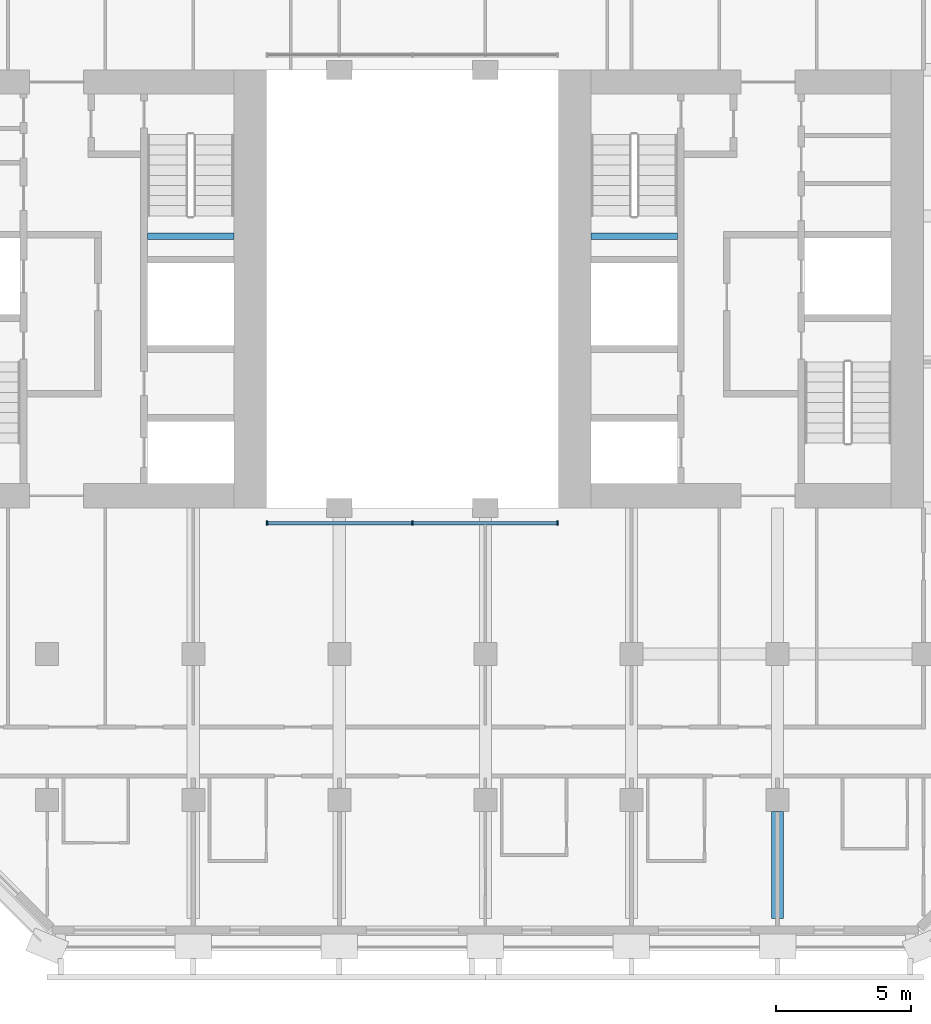
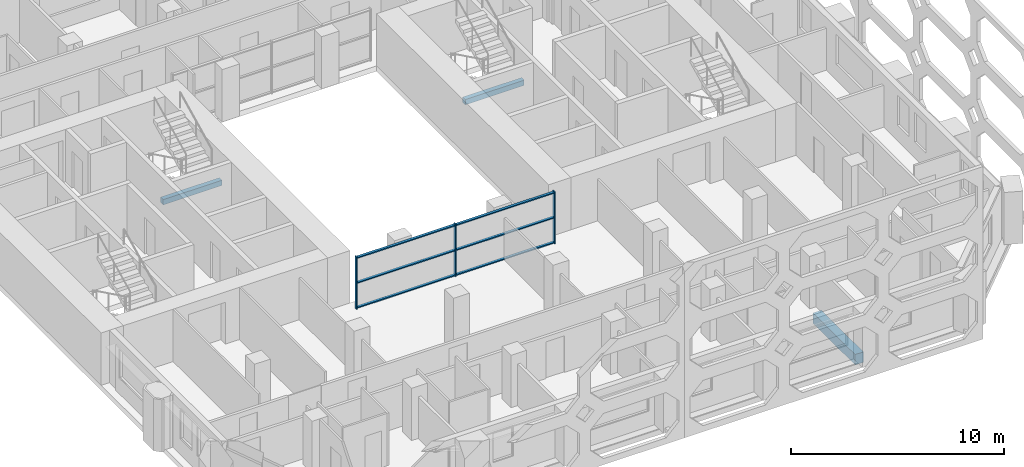
# One storey, part 2 of 14: 9 members, 3 beams, 1 element without a shape of its own.
"""IFC4 building model written with IfcOpenShell, lengths in metres."""

from ifc_helpers import new_model, si_unit, direction, frame, origin, origin_2d, place, context, subcontext, project, spatial, rectangle, extrude, material, material_profile, profile_set, type_object, element, aggregate, save


model = new_model("IFC4")

# Units and contexts
model_context = context("Model", 3, precision=1e-05, world=origin(), true_north=direction((0.0, 1.0)))
body_context = subcontext(model_context, "Body", "Model", "MODEL_VIEW")
ifc_project = project(units=[si_unit("LENGTHUNIT", "METRE"), si_unit("AREAUNIT", "SQUARE_METRE"), si_unit("VOLUMEUNIT", "CUBIC_METRE"), si_unit("PLANEANGLEUNIT", "RADIAN"), si_unit("MASSUNIT", "GRAM", prefix="KILO")], contexts=[model_context])

# Site, building, storey
site_placement = place(None, origin())
site = spatial("IfcSite", under=ifc_project, at=site_placement, CompositionType="ELEMENT")
building_placement = place(site_placement, origin())
building = spatial("IfcBuilding", under=site, at=building_placement, Name="Tabaq Tower and Sports Hall", CompositionType="ELEMENT")
storey_placement = place(building_placement, frame((0.0, 0.0, 166.0)))
storey = spatial("IfcBuildingStorey", under=building, at=storey_placement, Name="L39", CompositionType="ELEMENT", Elevation=166.0)

# Curtain wall, members
ifc_material_1 = material(Name="Aluminium alloy 6063-T6 framed glazing", Category="aluminium")
curtain_wall_type = type_object("IfcCurtainWallType", Name="CW1 curtain wall", PredefinedType="USERDEFINED", material=ifc_material_1)
curtain_wall_placement = place(storey_placement, origin())
curtain_wall = element("IfcCurtainWall", 1, at=curtain_wall_placement, inside=storey, type_object=curtain_wall_type, Name="Atrium glazing L39 S", ObjectType="ATRIUM ENCLOSURE", PredefinedType="USERDEFINED")
ifc_material_2 = material(Name="Aluminium alloy 6063-T6", Category="aluminium")
ifc_material_profile_1 = material_profile(ifc_material_2, rectangle(XDim=0.159912109375, YDim=0.06005859375, at=origin_2d()), Name="MULLION 160x60")
ifc_profile_set_1 = profile_set([ifc_material_profile_1], Name="Aluminium alloy 6063-T6")
member_type_1 = type_object("IfcMemberType", Name="CW1 mullion 160x60", PredefinedType="MULLION", material=ifc_profile_set_1)
member_1_placement = place(storey_placement, frame((18.929931640625, 15.64990234375, 0.0), z_axis=(0.0, 0.0, 1.0), x_axis=(0.0, 1.0, 0.0)))
member_1 = element("IfcMember", 2, at=member_1_placement, type_object=member_type_1, Name="CW1 mullion 1", PredefinedType="MULLION", context=body_context, shape_type="SweptSolid", body=[
    extrude(rectangle(XDim=0.159912109375, YDim=0.06005859375, at=origin_2d()), origin(), (0.0, 0.0, 1.0), 3.0),
])
member_2_placement = place(storey_placement, frame((24.300048828125, 15.64990234375, 0.0), z_axis=(0.0, 0.0, 1.0), x_axis=(0.0, 1.0, 0.0)))
member_2 = element("IfcMember", 3, at=member_2_placement, type_object=member_type_1, Name="CW1 mullion 2", PredefinedType="MULLION", context=body_context, shape_type="SweptSolid", body=[
    extrude(rectangle(XDim=0.159912109375, YDim=0.06005859375, at=origin_2d()), origin(), (0.0, 0.0, 1.0), 3.0),
])
member_3_placement = place(storey_placement, frame((29.669921875, 15.64990234375, 0.0), z_axis=(0.0, 0.0, 1.0), x_axis=(0.0, 1.0, 0.0)))
member_3 = element("IfcMember", 4, at=member_3_placement, type_object=member_type_1, Name="CW1 mullion 3", PredefinedType="MULLION", context=body_context, shape_type="SweptSolid", body=[
    extrude(rectangle(XDim=0.159912109375, YDim=0.06005859375, at=origin_2d()), origin(), (0.0, 0.0, 1.0), 3.0),
])
ifc_material_3 = material(Name="Aluminium alloy 6063-T6", Category="aluminium")
ifc_material_profile_2 = material_profile(ifc_material_3, rectangle(XDim=0.139892578125, YDim=0.06005859375, at=origin_2d()), Name="TRANSOM 140x60")
ifc_profile_set_2 = profile_set([ifc_material_profile_2], Name="Aluminium alloy 6063-T6")
member_type_2 = type_object("IfcMemberType", Name="CW1 transom 140x60", PredefinedType="USERDEFINED", material=ifc_profile_set_2)
member_4_placement = place(storey_placement, frame((18.9599609375, 15.64990234375, 0.070068359375), z_axis=(1.0, 0.0, 0.0), x_axis=(0.0, 1.0, 0.0)))
member_4 = element("IfcMember", 5, at=member_4_placement, type_object=member_type_2, Name="CW1 transom 1.1", ObjectType="TRANSOM", PredefinedType="USERDEFINED", context=body_context, shape_type="SweptSolid", body=[
    extrude(rectangle(XDim=0.139892578125, YDim=0.06005859375, at=origin_2d()), origin(), (0.0, 0.0, 1.0), 5.31005859375),
])
member_5_placement = place(storey_placement, frame((18.9599609375, 15.64990234375, 1.5), z_axis=(1.0, 0.0, 0.0), x_axis=(0.0, 1.0, 0.0)))
member_5 = element("IfcMember", 6, at=member_5_placement, type_object=member_type_2, Name="CW1 transom 1.2", ObjectType="TRANSOM", PredefinedType="USERDEFINED", context=body_context, shape_type="SweptSolid", body=[
    extrude(rectangle(XDim=0.139892578125, YDim=0.06005859375, at=origin_2d()), origin(), (0.0, 0.0, 1.0), 5.31005859375),
])
member_6_placement = place(storey_placement, frame((18.9599609375, 15.64990234375, 2.929931640625), z_axis=(1.0, 0.0, 0.0), x_axis=(0.0, 1.0, 0.0)))
member_6 = element("IfcMember", 7, at=member_6_placement, type_object=member_type_2, Name="CW1 transom 1.3", ObjectType="TRANSOM", PredefinedType="USERDEFINED", context=body_context, shape_type="SweptSolid", body=[
    extrude(rectangle(XDim=0.139892578125, YDim=0.06005859375, at=origin_2d()), origin(), (0.0, 0.0, 1.0), 5.31005859375),
])
member_7_placement = place(storey_placement, frame((24.330078125, 15.64990234375, 0.070068359375), z_axis=(1.0, 0.0, 0.0), x_axis=(0.0, 1.0, 0.0)))
member_7 = element("IfcMember", 8, at=member_7_placement, type_object=member_type_2, Name="CW1 transom 2.1", ObjectType="TRANSOM", PredefinedType="USERDEFINED", context=body_context, shape_type="SweptSolid", body=[
    extrude(rectangle(XDim=0.139892578125, YDim=0.06005859375, at=origin_2d()), origin(), (0.0, 0.0, 1.0), 5.309814453125),
])
member_8_placement = place(storey_placement, frame((24.330078125, 15.64990234375, 1.5), z_axis=(1.0, 0.0, 0.0), x_axis=(0.0, 1.0, 0.0)))
member_8 = element("IfcMember", 9, at=member_8_placement, type_object=member_type_2, Name="CW1 transom 2.2", ObjectType="TRANSOM", PredefinedType="USERDEFINED", context=body_context, shape_type="SweptSolid", body=[
    extrude(rectangle(XDim=0.139892578125, YDim=0.06005859375, at=origin_2d()), origin(), (0.0, 0.0, 1.0), 5.309814453125),
])
member_9_placement = place(storey_placement, frame((24.330078125, 15.64990234375, 2.929931640625), z_axis=(1.0, 0.0, 0.0), x_axis=(0.0, 1.0, 0.0)))
member_9 = element("IfcMember", 10, at=member_9_placement, type_object=member_type_2, Name="CW1 transom 2.3", ObjectType="TRANSOM", PredefinedType="USERDEFINED", context=body_context, shape_type="SweptSolid", body=[
    extrude(rectangle(XDim=0.139892578125, YDim=0.06005859375, at=origin_2d()), origin(), (0.0, 0.0, 1.0), 5.309814453125),
])
aggregate(curtain_wall, [member_1, member_2, member_3, member_4, member_5, member_6, member_7, member_8, member_9])

# Beams
ifc_material_4 = material(Name="Concrete C40/50", Category="concrete")
ifc_material_profile_3 = material_profile(ifc_material_4, rectangle(XDim=0.449951171875, YDim=0.60009765625, at=origin_2d()), Name="CB 450x600")
ifc_profile_set_3 = profile_set([ifc_material_profile_3], Name="Concrete C40/50")
beam_type_1 = type_object("IfcBeamType", Name="PT CANTILEVER BEAM CB 450x600 C40/50", PredefinedType="BEAM", material=ifc_profile_set_3)
beam_1_placement = place(storey_placement, frame((37.800048828125, 1.02490234375, -0.60009765625), z_axis=(0.0, 1.0, 0.0), x_axis=(-1.0, 0.0, 0.0)))
element("IfcBeam", 11, at=beam_1_placement, inside=storey, type_object=beam_type_1, Name="Cantilever Beam L39 S7 span 1", PredefinedType="BEAM", context=body_context, shape_type="SweptSolid", body=[
    extrude(rectangle(XDim=0.449951171875, YDim=0.60009765625, at=origin_2d()), origin(), (0.0, 0.0, 1.0), 3.9501953125),
])
ifc_material_5 = material(Name="Concrete C40/50", Category="concrete")
ifc_material_profile_4 = material_profile(ifc_material_5, rectangle(XDim=0.25, YDim=0.300048828125, at=origin_2d()), Name="RC 250x300")
ifc_profile_set_4 = profile_set([ifc_material_profile_4], Name="Concrete C40/50")
beam_type_2 = type_object("IfcBeamType", Name="Stair landing beam 250x300", PredefinedType="BEAM", material=ifc_profile_set_4)
beam_2_placement = place(storey_placement, frame((14.5, 26.25, 1.300048828125), z_axis=(1.0, 0.0, 0.0), x_axis=(0.0, 1.0, 0.0)))
element("IfcBeam", 12, at=beam_2_placement, inside=storey, type_object=beam_type_2, Name="L39 ST2 landing beam 1", PredefinedType="BEAM", context=body_context, shape_type="SweptSolid", body=[
    extrude(rectangle(XDim=0.25, YDim=0.300048828125, at=origin_2d()), origin(), (0.0, 0.0, 1.0), 3.199951171875),
])
beam_3_placement = place(storey_placement, frame((30.89990234375, 26.25, 1.300048828125), z_axis=(1.0, 0.0, 0.0), x_axis=(0.0, 1.0, 0.0)))
element("IfcBeam", 13, at=beam_3_placement, inside=storey, type_object=beam_type_2, Name="L39 ST4 landing beam 1", PredefinedType="BEAM", context=body_context, shape_type="SweptSolid", body=[
    extrude(rectangle(XDim=0.25, YDim=0.300048828125, at=origin_2d()), origin(), (0.0, 0.0, 1.0), 3.2001953125),
])

save(model, "model.ifc")
